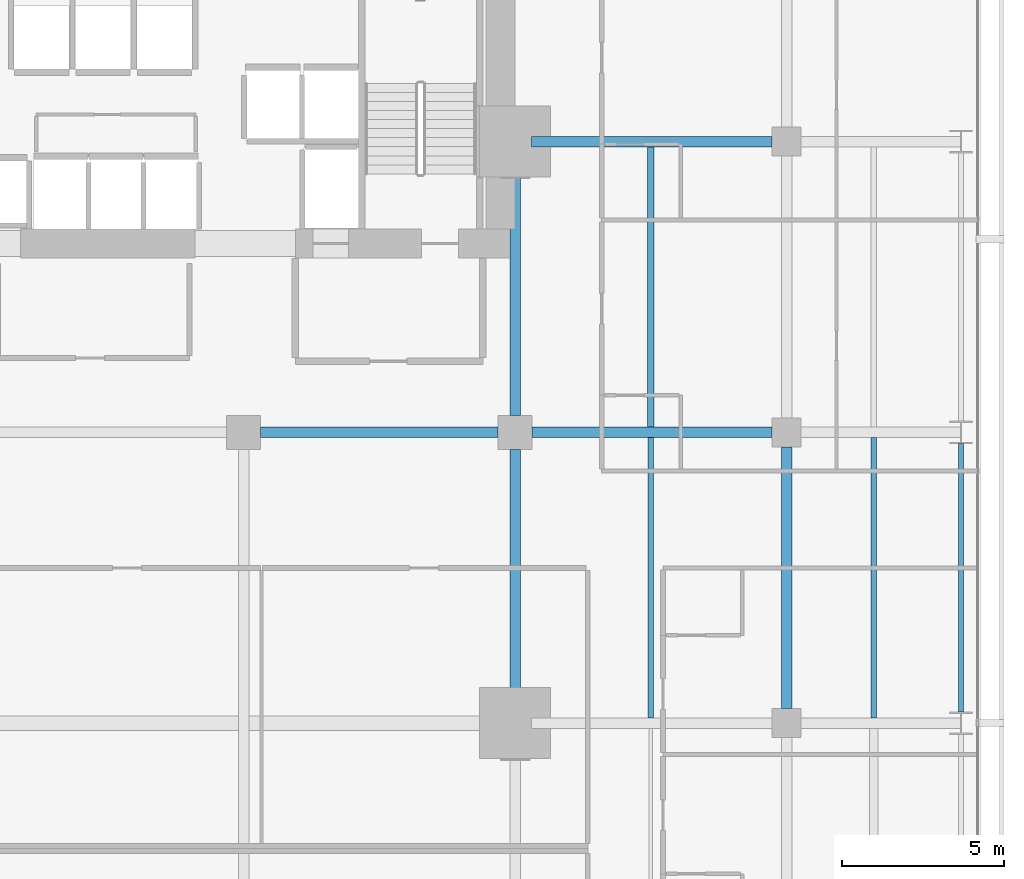
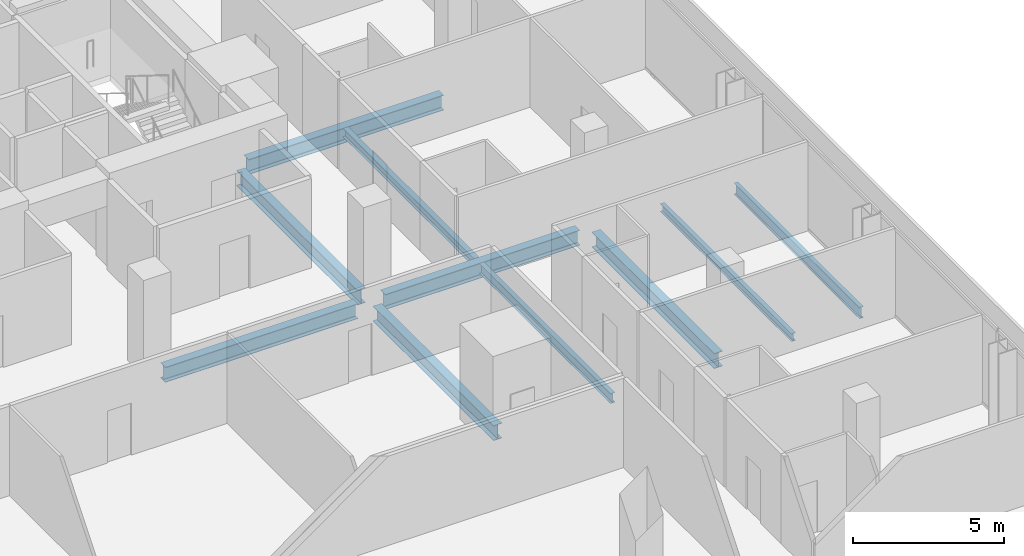
# One storey, part 27 of 40: 10 beams.
"""IFC4 building model written with IfcOpenShell, lengths in metres."""

from ifc_helpers import new_model, si_unit, direction, frame, origin, origin_2d, place, context, subcontext, project, spatial, i_section, extrude, material, material_profile, profile_set, type_object, element, save


model = new_model("IFC4")

# Units and contexts
model_context = context("Model", 3, precision=1e-05, world=origin(), true_north=direction((0.0, 1.0)))
body_context = subcontext(model_context, "Body", "Model", "MODEL_VIEW")
ifc_project = project(units=[si_unit("LENGTHUNIT", "METRE"), si_unit("AREAUNIT", "SQUARE_METRE"), si_unit("VOLUMEUNIT", "CUBIC_METRE"), si_unit("PLANEANGLEUNIT", "RADIAN"), si_unit("MASSUNIT", "GRAM", prefix="KILO")], contexts=[model_context])

# Site, building, storey
site_placement = place(None, origin())
site = spatial("IfcSite", under=ifc_project, at=site_placement, CompositionType="ELEMENT")
building_placement = place(site_placement, origin())
building = spatial("IfcBuilding", under=site, at=building_placement, Name="Maruvema Waterfront Hotel and Observation Tower", CompositionType="ELEMENT")
storey_placement = place(building_placement, frame((0.0, 0.0, 88.550048828125)))
storey = spatial("IfcBuildingStorey", under=building, at=storey_placement, Name="L21", CompositionType="ELEMENT", Elevation=88.550048828125)

# Beams
ifc_material_1 = material(Name="Steel ASTM A572 Grade 50", Category="steel")
ifc_material_profile_1 = material_profile(ifc_material_1, i_section(OverallWidth=0.153076171875, OverallDepth=0.455078125, WebThickness=0.008056640625, FlangeThickness=0.01318359375, FilletRadius=0.014892578125, at=origin_2d()), Name="W460x60.0")
ifc_profile_set_1 = profile_set([ifc_material_profile_1], Name="Steel ASTM A572 Grade 50")
beam_type_1 = type_object("IfcBeamType", Name="Perimeter Spandrel Beam W460x60.0", PredefinedType="SPANDREL", material=ifc_profile_set_1)
beam_1_placement = place(storey_placement, frame((64.199951171875, 27.35009765625, -0.467529296875), z_axis=(0.0, 1.0, 0.0), x_axis=(-1.0, 0.0, 0.0)))
element("IfcBeam", 1, at=beam_1_placement, inside=storey, type_object=beam_type_1, Name="L21 Floor Girder NS-35", PredefinedType="SPANDREL", context=body_context, shape_type="SweptSolid", body=[
    extrude(i_section(OverallWidth=0.153076171875, OverallDepth=0.455078125, WebThickness=0.008056640625, FlangeThickness=0.01318359375, FilletRadius=0.014892578125, at=origin_2d()), origin(), (0.0, 0.0, 1.0), 8.2998046875),
])
ifc_material_2 = material(Name="Steel ASTM A572 Grade 50", Category="steel")
ifc_material_profile_2 = material_profile(ifc_material_2, i_section(OverallWidth=0.323974609375, OverallDepth=0.611083984375, WebThickness=0.0126953125, FlangeThickness=0.01904296875, FilletRadius=0.01806640625, at=origin_2d()), Name="W610x155.0")
ifc_profile_set_2 = profile_set([ifc_material_profile_2], Name="Steel ASTM A572 Grade 50")
beam_type_2 = type_object("IfcBeamType", Name="Primary Floor Girder W610x155.0", PredefinedType="BEAM", material=ifc_profile_set_2)
beam_2_placement = place(storey_placement, frame((42.52490234375, 36.0, -0.545654296875), z_axis=(1.0, 0.0, 0.0), x_axis=(0.0, 1.0, 0.0)))
element("IfcBeam", 2, at=beam_2_placement, inside=storey, type_object=beam_type_2, Name="L21 Floor Girder EW-29", PredefinedType="BEAM", context=body_context, shape_type="SweptSolid", body=[
    extrude(i_section(OverallWidth=0.323974609375, OverallDepth=0.611083984375, WebThickness=0.0126953125, FlangeThickness=0.01904296875, FilletRadius=0.01806640625, at=origin_2d()), origin(), (0.0, 0.0, 1.0), 7.35009765625),
])
beam_3_placement = place(storey_placement, frame((50.925048828125, 36.0, -0.545654296875), z_axis=(1.0, 0.0, 0.0), x_axis=(0.0, 1.0, 0.0)))
element("IfcBeam", 3, at=beam_3_placement, inside=storey, type_object=beam_type_2, Name="L21 Floor Girder EW-30", PredefinedType="BEAM", context=body_context, shape_type="SweptSolid", body=[
    extrude(i_section(OverallWidth=0.323974609375, OverallDepth=0.611083984375, WebThickness=0.0126953125, FlangeThickness=0.01904296875, FilletRadius=0.01806640625, at=origin_2d()), origin(), (0.0, 0.0, 1.0), 7.425048828125),
])
beam_4_placement = place(storey_placement, frame((50.89990234375, 45.0, -0.545654296875), z_axis=(1.0, 0.0, 0.0), x_axis=(0.0, 1.0, 0.0)))
element("IfcBeam", 4, at=beam_4_placement, inside=storey, type_object=beam_type_2, Name="L21 Floor Girder EW-34", PredefinedType="BEAM", context=body_context, shape_type="SweptSolid", body=[
    extrude(i_section(OverallWidth=0.323974609375, OverallDepth=0.611083984375, WebThickness=0.0126953125, FlangeThickness=0.01904296875, FilletRadius=0.01806640625, at=origin_2d()), origin(), (0.0, 0.0, 1.0), 7.4501953125),
])
for number, where, z_axis, x_axis, name in (
    (5, (50.39990234375, 27.5, -0.545654296875), (0.0, 1.0, 0.0), (-1.0, 0.0, 0.0), "L21 Floor Girder NS-25"),
    (6, (50.39990234375, 36.52490234375, -0.545654296875), (0.0, 1.0, 0.0), (-1.0, 0.0, 0.0), "L21 Floor Girder NS-26"),
):
    element("IfcBeam", number, at=place(storey_placement, frame(where, z_axis=z_axis, x_axis=x_axis)), inside=storey, type_object=beam_type_2, Name=name, PredefinedType="BEAM", context=body_context, shape_type="SweptSolid", body=[
        extrude(i_section(OverallWidth=0.323974609375, OverallDepth=0.611083984375, WebThickness=0.0126953125, FlangeThickness=0.01904296875, FilletRadius=0.01806640625, at=origin_2d()), origin(), (0.0, 0.0, 1.0), 7.97509765625),
    ])
beam_5_placement = place(storey_placement, frame((58.800048828125, 27.449951171875, -0.545654296875), z_axis=(0.0, 1.0, 0.0), x_axis=(-1.0, 0.0, 0.0)))
element("IfcBeam", 7, at=beam_5_placement, inside=storey, type_object=beam_type_2, Name="L21 Floor Girder NS-30", PredefinedType="BEAM", context=body_context, shape_type="SweptSolid", body=[
    extrude(i_section(OverallWidth=0.323974609375, OverallDepth=0.611083984375, WebThickness=0.0126953125, FlangeThickness=0.01904296875, FilletRadius=0.01806640625, at=origin_2d()), origin(), (0.0, 0.0, 1.0), 8.10009765625),
])
ifc_material_3 = material(Name="Steel ASTM A572 Grade 50", Category="steel")
ifc_material_profile_3 = material_profile(ifc_material_3, i_section(OverallWidth=0.1669921875, OverallDepth=0.31689453125, WebThickness=0.007568359375, FlangeThickness=0.01318359375, FilletRadius=0.012939453125, at=origin_2d()), Name="W310x52.0")
ifc_profile_set_3 = profile_set([ifc_material_profile_3], Name="Steel ASTM A572 Grade 50")
beam_type_3 = type_object("IfcBeamType", Name="Secondary Floor Joist W310x52.0", PredefinedType="JOIST", material=ifc_profile_set_3)
beam_6_placement = place(storey_placement, frame((61.5, 27.162109375, -0.3984375), z_axis=(0.0, 1.0, 0.0), x_axis=(-1.0, 0.0, 0.0)))
element("IfcBeam", 8, at=beam_6_placement, inside=storey, type_object=beam_type_3, Name="L21 Secondary Floor Joist JS-23", PredefinedType="JOIST", context=body_context, shape_type="SweptSolid", body=[
    extrude(i_section(OverallWidth=0.1669921875, OverallDepth=0.31689453125, WebThickness=0.007568359375, FlangeThickness=0.01318359375, FilletRadius=0.012939453125, at=origin_2d()), origin(), (0.0, 0.0, 1.0), 8.67578125),
])
ifc_material_4 = material(Name="Steel ASTM A572 Grade 50", Category="steel")
ifc_material_profile_4 = material_profile(ifc_material_4, i_section(OverallWidth=0.202880859375, OverallDepth=0.346923828125, WebThickness=0.0078125, FlangeThickness=0.013427734375, FilletRadius=0.014892578125, at=origin_2d()), Name="W360x64.0")
ifc_profile_set_4 = profile_set([ifc_material_profile_4], Name="Steel ASTM A572 Grade 50")
beam_type_4 = type_object("IfcBeamType", Name="Secondary Floor Joist W360x64.0", PredefinedType="JOIST", material=ifc_profile_set_4)
beam_7_placement = place(storey_placement, frame((54.60009765625, 36.162109375, -0.41357421875), z_axis=(0.0, 1.0, 0.0), x_axis=(-1.0, 0.0, 0.0)))
element("IfcBeam", 9, at=beam_7_placement, inside=storey, type_object=beam_type_4, Name="L21 Secondary Floor Joist JS-20", PredefinedType="JOIST", context=body_context, shape_type="SweptSolid", body=[
    extrude(i_section(OverallWidth=0.202880859375, OverallDepth=0.346923828125, WebThickness=0.0078125, FlangeThickness=0.013427734375, FilletRadius=0.014892578125, at=origin_2d()), origin(), (0.0, 0.0, 1.0), 8.67578125),
])
ifc_material_5 = material(Name="Steel ASTM A572 Grade 50", Category="steel")
ifc_material_profile_5 = material_profile(ifc_material_5, i_section(OverallWidth=0.177001953125, OverallDepth=0.403076171875, WebThickness=0.007568359375, FlangeThickness=0.010986328125, FilletRadius=0.014892578125, at=origin_2d()), Name="W410x53.0")
ifc_profile_set_5 = profile_set([ifc_material_profile_5], Name="Steel ASTM A572 Grade 50")
beam_type_5 = type_object("IfcBeamType", Name="Secondary Floor Joist W410x53.0", PredefinedType="JOIST", material=ifc_profile_set_5)
beam_8_placement = place(storey_placement, frame((54.60009765625, 27.162109375, -0.441650390625), z_axis=(0.0, 1.0, 0.0), x_axis=(-1.0, 0.0, 0.0)))
element("IfcBeam", 10, at=beam_8_placement, inside=storey, type_object=beam_type_5, Name="L21 Secondary Floor Joist JS-19", PredefinedType="JOIST", context=body_context, shape_type="SweptSolid", body=[
    extrude(i_section(OverallWidth=0.177001953125, OverallDepth=0.403076171875, WebThickness=0.007568359375, FlangeThickness=0.010986328125, FilletRadius=0.014892578125, at=origin_2d()), origin(), (0.0, 0.0, 1.0), 8.67578125),
])

save(model, "model.ifc")
